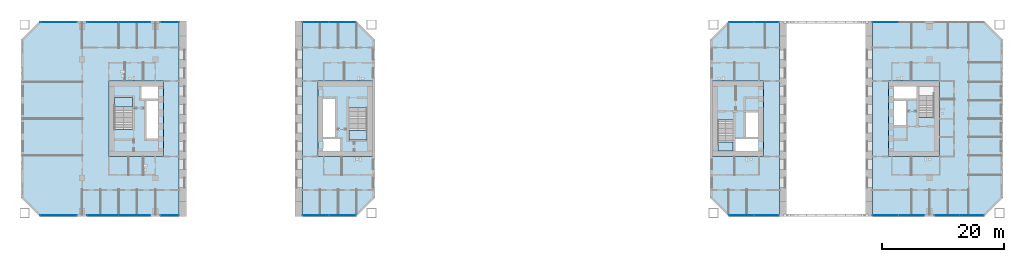
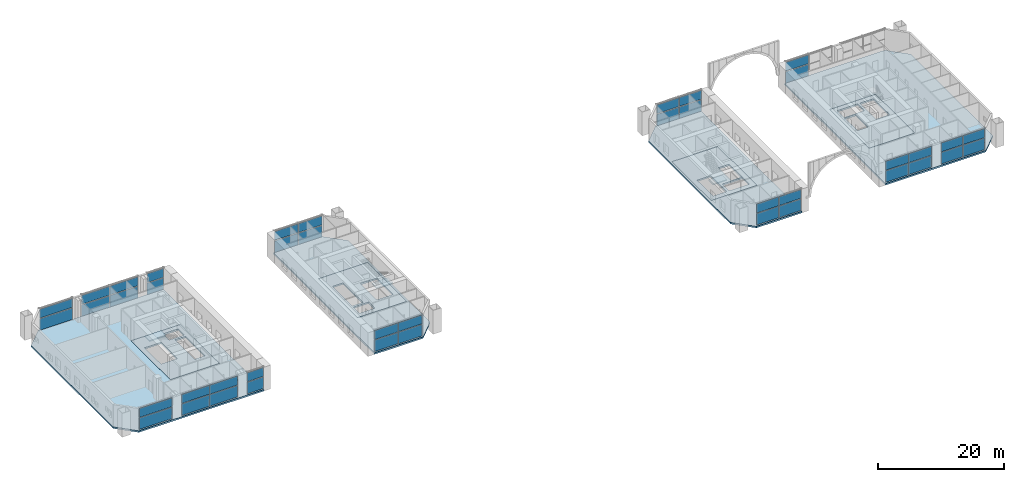
# One storey, part 8 of 21: 42 plates, 11 slabs, 16 elements without a shape of their own.
"""IFC4 building model written with IfcOpenShell, lengths in metres."""

from ifc_helpers import new_model, si_unit, direction, frame, origin, origin_2d, place, context, subcontext, project, spatial, polyline, rectangle, outline, extrude, material, layer, layer_set, type_object, element, aggregate, save


model = new_model("IFC4")

# Units and contexts
model_context = context("Model", 3, precision=1e-05, world=origin(), true_north=direction((0.0, 1.0)))
body_context = subcontext(model_context, "Body", "Model", "MODEL_VIEW")
ifc_project = project(units=[si_unit("LENGTHUNIT", "METRE"), si_unit("AREAUNIT", "SQUARE_METRE"), si_unit("VOLUMEUNIT", "CUBIC_METRE"), si_unit("PLANEANGLEUNIT", "RADIAN"), si_unit("MASSUNIT", "GRAM", prefix="KILO")], contexts=[model_context])

# Site, building, storey
site_placement = place(None, origin())
site = spatial("IfcSite", under=ifc_project, at=site_placement, CompositionType="ELEMENT")
building_placement = place(site_placement, origin())
building = spatial("IfcBuilding", under=site, at=building_placement, Name="Tuart Gate Housing", CompositionType="ELEMENT")
storey_placement = place(building_placement, frame((0.0, 0.0, 5.5)))
storey = spatial("IfcBuildingStorey", under=building, at=storey_placement, Name="L01", CompositionType="ELEMENT", Elevation=5.5)

# Slabs
ifc_material_1 = material(Name="Concrete C40", Category="concrete")
ifc_layer_1 = layer(ifc_material_1, 0.300048828125)
ifc_layer_set_1 = layer_set([ifc_layer_1], Name="Core floor slab 300")
slab_type_1 = type_object("IfcSlabType", Name="Core floor slab 300", PredefinedType="FLOOR", material=ifc_layer_set_1)
slab_1_placement = place(storey_placement, frame((0.0, 0.0, -0.300048828125)))
element("IfcSlab", 1, at=slab_1_placement, inside=storey, type_object=slab_type_1, Name="Core floor AG", PredefinedType="FLOOR", context=body_context, shape_type="SweptSolid", body=[
    extrude(outline(polyline([(66.639892578125, 63.800048828125), (75.639892578125, 63.800048828125), (75.639892578125, 76.199951171875), (66.639892578125, 76.199951171875), (66.639892578125, 63.800048828125)]), holes=[polyline([(67.5400390625, 64.699951171875), (70.31005859375, 64.699951171875), (70.31005859375, 66.64990234375), (67.5400390625, 66.64990234375), (67.5400390625, 64.699951171875)]), polyline([(67.5400390625, 67.050048828125), (69.489990234375, 67.050048828125), (69.489990234375, 73.25), (67.5400390625, 73.25), (67.5400390625, 67.050048828125)]), polyline([(71.739990234375, 66.550048828125), (74.739990234375, 66.550048828125), (74.739990234375, 71.72998046875), (71.739990234375, 71.72998046875), (71.739990234375, 66.550048828125)])]), origin(), (0.0, 0.0, 1.0), 0.300048828125),
])
slab_2_placement = place(storey_placement, frame((0.0, 0.0, -0.300048828125)))
element("IfcSlab", 2, at=slab_2_placement, inside=storey, type_object=slab_type_1, Name="Core floor AK", PredefinedType="FLOOR", context=body_context, shape_type="SweptSolid", body=[
    extrude(outline(polyline([(32.360107421875, 63.800048828125), (41.360107421875, 63.800048828125), (41.360107421875, 76.199951171875), (32.360107421875, 76.199951171875), (32.360107421875, 63.800048828125)]), holes=[polyline([(40.4599609375, 75.300048828125), (37.68994140625, 75.300048828125), (37.68994140625, 73.35009765625), (40.4599609375, 73.35009765625), (40.4599609375, 75.300048828125)]), polyline([(40.4599609375, 72.949951171875), (38.510009765625, 72.949951171875), (38.510009765625, 66.75), (40.4599609375, 66.75), (40.4599609375, 72.949951171875)]), polyline([(36.260009765625, 73.449951171875), (33.260009765625, 73.449951171875), (33.260009765625, 68.27001953125), (36.260009765625, 68.27001953125), (36.260009765625, 73.449951171875)])]), origin(), (0.0, 0.0, 1.0), 0.300048828125),
])
slab_3_placement = place(storey_placement, frame((0.0, 0.0, -0.300048828125)))
element("IfcSlab", 3, at=slab_3_placement, inside=storey, type_object=slab_type_1, Name="Core floor BG", PredefinedType="FLOOR", context=body_context, shape_type="SweptSolid", body=[
    extrude(outline(polyline([(131.360107421875, 63.800048828125), (139.760009765625, 63.800048828125), (139.760009765625, 76.199951171875), (131.360107421875, 76.199951171875), (131.360107421875, 63.800048828125)]), holes=[polyline([(138.860107421875, 66.85009765625), (135.159912109375, 66.85009765625), (135.159912109375, 64.699951171875), (138.860107421875, 64.699951171875), (138.860107421875, 66.85009765625)]), polyline([(138.860107421875, 71.050048828125), (136.909912109375, 71.050048828125), (136.909912109375, 67.050048828125), (138.860107421875, 67.050048828125), (138.860107421875, 71.050048828125)]), polyline([(134.760009765625, 69.780029296875), (132.260009765625, 69.780029296875), (132.260009765625, 64.699951171875), (134.760009765625, 64.699951171875), (134.760009765625, 69.780029296875)])]), origin(), (0.0, 0.0, 1.0), 0.300048828125),
])
slab_4_placement = place(storey_placement, frame((0.0, 0.0, -0.300048828125)))
element("IfcSlab", 4, at=slab_4_placement, inside=storey, type_object=slab_type_1, Name="Core floor BK", PredefinedType="FLOOR", context=body_context, shape_type="SweptSolid", body=[
    extrude(outline(polyline([(160.239990234375, 63.800048828125), (168.639892578125, 63.800048828125), (168.639892578125, 76.199951171875), (160.239990234375, 76.199951171875), (160.239990234375, 63.800048828125)]), holes=[polyline([(161.139892578125, 73.14990234375), (164.840087890625, 73.14990234375), (164.840087890625, 75.300048828125), (161.139892578125, 75.300048828125), (161.139892578125, 73.14990234375)]), polyline([(161.139892578125, 68.949951171875), (163.090087890625, 68.949951171875), (163.090087890625, 72.949951171875), (161.139892578125, 72.949951171875), (161.139892578125, 68.949951171875)]), polyline([(165.239990234375, 70.219970703125), (167.739990234375, 70.219970703125), (167.739990234375, 75.300048828125), (165.239990234375, 75.300048828125), (165.239990234375, 70.219970703125)])]), origin(), (0.0, 0.0, 1.0), 0.300048828125),
])
ifc_material_2 = material(Name="Concrete C40", Category="concrete")
ifc_layer_2 = layer(ifc_material_2, 0.300048828125)
ifc_layer_set_2 = layer_set([ifc_layer_2], Name="Flat plate 300")
slab_type_2 = type_object("IfcSlabType", Name="Flat plate 300", PredefinedType="FLOOR", material=ifc_layer_set_2)
slab_5_placement = place(storey_placement, frame((0.0, 0.0, -0.300048828125)))
element("IfcSlab", 5, at=slab_5_placement, inside=storey, type_object=slab_type_2, Name="Floor slab A part 1 L01", PredefinedType="FLOOR", context=body_context, shape_type="SweptSolid", body=[
    extrude(outline(polyline([(43.89990234375, 86.0), (21.0, 86.0), (18.0, 83.0), (18.0, 57.0), (21.0, 54.0), (43.89990234375, 54.0), (43.89990234375, 86.0)]), holes=[polyline([(32.360107421875, 76.199951171875), (41.360107421875, 76.199951171875), (41.360107421875, 63.800048828125), (32.360107421875, 63.800048828125), (32.360107421875, 76.199951171875)])]), origin(), (0.0, 0.0, 1.0), 0.300048828125),
])
slab_6_placement = place(storey_placement, frame((0.0, 0.0, -0.300048828125)))
element("IfcSlab", 6, at=slab_6_placement, inside=storey, type_object=slab_type_2, Name="Floor slab A part 2 L01", PredefinedType="FLOOR", context=body_context, shape_type="SweptSolid", body=[
    extrude(outline(polyline([(73.0, 86.0), (64.10009765625, 86.0), (64.10009765625, 54.0), (73.0, 54.0), (76.0, 57.0), (76.0, 83.0), (73.0, 86.0)]), holes=[polyline([(66.639892578125, 63.800048828125), (66.639892578125, 76.199951171875), (75.639892578125, 76.199951171875), (75.639892578125, 63.800048828125), (66.639892578125, 63.800048828125)])]), origin(), (0.0, 0.0, 1.0), 0.300048828125),
])
slab_7_placement = place(storey_placement, frame((0.0, 0.0, -0.300048828125)))
element("IfcSlab", 7, at=slab_7_placement, inside=storey, type_object=slab_type_2, Name="Floor slab B part 1 L01", PredefinedType="FLOOR", context=body_context, shape_type="SweptSolid", body=[
    extrude(outline(polyline([(142.35009765625, 86.0), (134.0, 86.0), (131.0, 83.0), (131.0, 57.0), (134.0, 54.0), (142.35009765625, 54.0), (142.35009765625, 86.0)]), holes=[polyline([(131.360107421875, 63.800048828125), (131.360107421875, 76.199951171875), (139.760009765625, 76.199951171875), (139.760009765625, 63.800048828125), (131.360107421875, 63.800048828125)])]), origin(), (0.0, 0.0, 1.0), 0.300048828125),
])
slab_8_placement = place(storey_placement, frame((0.0, 0.0, -0.300048828125)))
element("IfcSlab", 8, at=slab_8_placement, inside=storey, type_object=slab_type_2, Name="Floor slab B part 2 L01", PredefinedType="FLOOR", context=body_context, shape_type="SweptSolid", body=[
    extrude(outline(polyline([(176.0, 86.0), (157.64990234375, 86.0), (157.64990234375, 54.0), (176.0, 54.0), (179.0, 57.0), (179.0, 83.0), (176.0, 86.0)]), holes=[polyline([(160.239990234375, 76.199951171875), (168.639892578125, 76.199951171875), (168.639892578125, 63.800048828125), (160.239990234375, 63.800048828125), (160.239990234375, 76.199951171875)])]), origin(), (0.0, 0.0, 1.0), 0.300048828125),
])

# Curtain wall, plates
ifc_material_3 = material(Name="Aluminium and clear glass", Category="aluminium")
curtain_wall_type = type_object("IfcCurtainWallType", Name="Podium health glazing", PredefinedType="USERDEFINED", material=ifc_material_3)
curtain_wall_1_placement = place(storey_placement, origin())
curtain_wall_1 = element("IfcCurtainWall", 9, at=curtain_wall_1_placement, inside=storey, type_object=curtain_wall_type, Name="Podium health glazing A-S L01", ObjectType="PODIUM HEALTH GLAZING", PredefinedType="USERDEFINED")
ifc_material_4 = material(Name="Clear glass", Category="glass")
ifc_layer_3 = layer(ifc_material_4, 0.028076171875)
ifc_layer_set_3 = layer_set([ifc_layer_3], Name="Glazed panel 28")
plate_type = type_object("IfcPlateType", Name="Glazed panel 28", PredefinedType="CURTAIN_PANEL", material=ifc_layer_set_3)
plate_1_placement = place(storey_placement, frame((24.13720703125, 54.179931640625, 0.1201171875), z_axis=(0.0, 0.0, 1.0), x_axis=(1.0, 0.0, 0.0)))
plate_1 = element("IfcPlate", 10, at=plate_1_placement, type_object=plate_type, Name="CW1 panel 1.1", PredefinedType="CURTAIN_PANEL", context=body_context, shape_type="SweptSolid", body=[
    extrude(rectangle(XDim=6.00537109375, YDim=0.028076171875, at=origin_2d()), origin(), (0.0, 0.0, 1.0), 2.219970703125),
])
plate_2_placement = place(storey_placement, frame((24.13720703125, 54.179931640625, 2.4599609375), z_axis=(0.0, 0.0, 1.0), x_axis=(1.0, 0.0, 0.0)))
plate_2 = element("IfcPlate", 11, at=plate_2_placement, type_object=plate_type, Name="CW1 panel 1.2", PredefinedType="CURTAIN_PANEL", context=body_context, shape_type="SweptSolid", body=[
    extrude(rectangle(XDim=6.00537109375, YDim=0.028076171875, at=origin_2d()), origin(), (0.0, 0.0, 1.0), 1.719970703125),
])
aggregate(curtain_wall_1, [plate_1, plate_2])

curtain_wall_2_placement = place(storey_placement, origin())
curtain_wall_2 = element("IfcCurtainWall", 12, at=curtain_wall_2_placement, inside=storey, type_object=curtain_wall_type, Name="Podium health glazing A-S L01", ObjectType="PODIUM HEALTH GLAZING", PredefinedType="USERDEFINED")
plate_3_placement = place(storey_placement, frame((31.4150390625, 54.179931640625, 0.1201171875), z_axis=(0.0, 0.0, 1.0), x_axis=(1.0, 0.0, 0.0)))
plate_3 = element("IfcPlate", 13, at=plate_3_placement, type_object=plate_type, Name="CW1 panel 1.1", PredefinedType="CURTAIN_PANEL", context=body_context, shape_type="SweptSolid", body=[
    extrude(rectangle(XDim=5.110107421875, YDim=0.028076171875, at=origin_2d()), origin(), (0.0, 0.0, 1.0), 2.219970703125),
])
plate_4_placement = place(storey_placement, frame((31.4150390625, 54.179931640625, 2.4599609375), z_axis=(0.0, 0.0, 1.0), x_axis=(1.0, 0.0, 0.0)))
plate_4 = element("IfcPlate", 14, at=plate_4_placement, type_object=plate_type, Name="CW1 panel 1.2", PredefinedType="CURTAIN_PANEL", context=body_context, shape_type="SweptSolid", body=[
    extrude(rectangle(XDim=5.110107421875, YDim=0.028076171875, at=origin_2d()), origin(), (0.0, 0.0, 1.0), 1.719970703125),
])
plate_5_placement = place(storey_placement, frame((36.5849609375, 54.179931640625, 0.1201171875), z_axis=(0.0, 0.0, 1.0), x_axis=(1.0, 0.0, 0.0)))
plate_5 = element("IfcPlate", 15, at=plate_5_placement, type_object=plate_type, Name="CW1 panel 2.1", PredefinedType="CURTAIN_PANEL", context=body_context, shape_type="SweptSolid", body=[
    extrude(rectangle(XDim=5.110107421875, YDim=0.028076171875, at=origin_2d()), origin(), (0.0, 0.0, 1.0), 2.219970703125),
])
plate_6_placement = place(storey_placement, frame((36.5849609375, 54.179931640625, 2.4599609375), z_axis=(0.0, 0.0, 1.0), x_axis=(1.0, 0.0, 0.0)))
plate_6 = element("IfcPlate", 16, at=plate_6_placement, type_object=plate_type, Name="CW1 panel 2.2", PredefinedType="CURTAIN_PANEL", context=body_context, shape_type="SweptSolid", body=[
    extrude(rectangle(XDim=5.110107421875, YDim=0.028076171875, at=origin_2d()), origin(), (0.0, 0.0, 1.0), 1.719970703125),
])
aggregate(curtain_wall_2, [plate_3, plate_4, plate_5, plate_6])

curtain_wall_3_placement = place(storey_placement, origin())
curtain_wall_3 = element("IfcCurtainWall", 17, at=curtain_wall_3_placement, inside=storey, type_object=curtain_wall_type, Name="Podium health glazing A-S L01", ObjectType="PODIUM HEALTH GLAZING", PredefinedType="USERDEFINED")
plate_7_placement = place(storey_placement, frame((42.35009765625, 54.179931640625, 0.1201171875), z_axis=(0.0, 0.0, 1.0), x_axis=(1.0, 0.0, 0.0)))
plate_7 = element("IfcPlate", 18, at=plate_7_placement, type_object=plate_type, Name="CW1 panel 1.1", PredefinedType="CURTAIN_PANEL", context=body_context, shape_type="SweptSolid", body=[
    extrude(rectangle(XDim=2.97998046875, YDim=0.028076171875, at=origin_2d()), origin(), (0.0, 0.0, 1.0), 2.219970703125),
])
plate_8_placement = place(storey_placement, frame((42.35009765625, 54.179931640625, 2.4599609375), z_axis=(0.0, 0.0, 1.0), x_axis=(1.0, 0.0, 0.0)))
plate_8 = element("IfcPlate", 19, at=plate_8_placement, type_object=plate_type, Name="CW1 panel 1.2", PredefinedType="CURTAIN_PANEL", context=body_context, shape_type="SweptSolid", body=[
    extrude(rectangle(XDim=2.97998046875, YDim=0.028076171875, at=origin_2d()), origin(), (0.0, 0.0, 1.0), 1.719970703125),
])
aggregate(curtain_wall_3, [plate_7, plate_8])

curtain_wall_4_placement = place(storey_placement, origin())
curtain_wall_4 = element("IfcCurtainWall", 20, at=curtain_wall_4_placement, inside=storey, type_object=curtain_wall_type, Name="Podium health glazing A-S L01", ObjectType="PODIUM HEALTH GLAZING", PredefinedType="USERDEFINED")
plate_9_placement = place(storey_placement, frame((66.3212890625, 54.179931640625, 0.1201171875), z_axis=(0.0, 0.0, 1.0), x_axis=(1.0, 0.0, 0.0)))
plate_9 = element("IfcPlate", 21, at=plate_9_placement, type_object=plate_type, Name="CW1 panel 1.1", PredefinedType="CURTAIN_PANEL", context=body_context, shape_type="SweptSolid", body=[
    extrude(rectangle(XDim=4.32275390625, YDim=0.028076171875, at=origin_2d()), origin(), (0.0, 0.0, 1.0), 2.219970703125),
])
plate_10_placement = place(storey_placement, frame((66.3212890625, 54.179931640625, 2.4599609375), z_axis=(0.0, 0.0, 1.0), x_axis=(1.0, 0.0, 0.0)))
plate_10 = element("IfcPlate", 22, at=plate_10_placement, type_object=plate_type, Name="CW1 panel 1.2", PredefinedType="CURTAIN_PANEL", context=body_context, shape_type="SweptSolid", body=[
    extrude(rectangle(XDim=4.32275390625, YDim=0.028076171875, at=origin_2d()), origin(), (0.0, 0.0, 1.0), 1.719970703125),
])
plate_11_placement = place(storey_placement, frame((70.7041015625, 54.179931640625, 0.1201171875), z_axis=(0.0, 0.0, 1.0), x_axis=(1.0, 0.0, 0.0)))
plate_11 = element("IfcPlate", 23, at=plate_11_placement, type_object=plate_type, Name="CW1 panel 2.1", PredefinedType="CURTAIN_PANEL", context=body_context, shape_type="SweptSolid", body=[
    extrude(rectangle(XDim=4.32275390625, YDim=0.028076171875, at=origin_2d()), origin(), (0.0, 0.0, 1.0), 2.219970703125),
])
plate_12_placement = place(storey_placement, frame((70.7041015625, 54.179931640625, 2.4599609375), z_axis=(0.0, 0.0, 1.0), x_axis=(1.0, 0.0, 0.0)))
plate_12 = element("IfcPlate", 24, at=plate_12_placement, type_object=plate_type, Name="CW1 panel 2.2", PredefinedType="CURTAIN_PANEL", context=body_context, shape_type="SweptSolid", body=[
    extrude(rectangle(XDim=4.32275390625, YDim=0.028076171875, at=origin_2d()), origin(), (0.0, 0.0, 1.0), 1.719970703125),
])
aggregate(curtain_wall_4, [plate_9, plate_10, plate_11, plate_12])

curtain_wall_5_placement = place(storey_placement, origin())
curtain_wall_5 = element("IfcCurtainWall", 25, at=curtain_wall_5_placement, inside=storey, type_object=curtain_wall_type, Name="Podium health glazing A-N L01", ObjectType="PODIUM HEALTH GLAZING", PredefinedType="USERDEFINED")
plate_13_placement = place(storey_placement, frame((70.7041015625, 85.820068359375, 0.1201171875), z_axis=(0.0, 0.0, 1.0), x_axis=(-1.0, 0.0, 0.0)))
plate_13 = element("IfcPlate", 26, at=plate_13_placement, type_object=plate_type, Name="CW1 panel 1.1", PredefinedType="CURTAIN_PANEL", context=body_context, shape_type="SweptSolid", body=[
    extrude(rectangle(XDim=4.32275390625, YDim=0.028076171875, at=origin_2d()), origin(), (0.0, 0.0, 1.0), 2.219970703125),
])
plate_14_placement = place(storey_placement, frame((70.7041015625, 85.820068359375, 2.4599609375), z_axis=(0.0, 0.0, 1.0), x_axis=(-1.0, 0.0, 0.0)))
plate_14 = element("IfcPlate", 27, at=plate_14_placement, type_object=plate_type, Name="CW1 panel 1.2", PredefinedType="CURTAIN_PANEL", context=body_context, shape_type="SweptSolid", body=[
    extrude(rectangle(XDim=4.32275390625, YDim=0.028076171875, at=origin_2d()), origin(), (0.0, 0.0, 1.0), 1.719970703125),
])
plate_15_placement = place(storey_placement, frame((66.3212890625, 85.820068359375, 0.1201171875), z_axis=(0.0, 0.0, 1.0), x_axis=(-1.0, 0.0, 0.0)))
plate_15 = element("IfcPlate", 28, at=plate_15_placement, type_object=plate_type, Name="CW1 panel 2.1", PredefinedType="CURTAIN_PANEL", context=body_context, shape_type="SweptSolid", body=[
    extrude(rectangle(XDim=4.32275390625, YDim=0.028076171875, at=origin_2d()), origin(), (0.0, 0.0, 1.0), 2.219970703125),
])
plate_16_placement = place(storey_placement, frame((66.3212890625, 85.820068359375, 2.4599609375), z_axis=(0.0, 0.0, 1.0), x_axis=(-1.0, 0.0, 0.0)))
plate_16 = element("IfcPlate", 29, at=plate_16_placement, type_object=plate_type, Name="CW1 panel 2.2", PredefinedType="CURTAIN_PANEL", context=body_context, shape_type="SweptSolid", body=[
    extrude(rectangle(XDim=4.32275390625, YDim=0.028076171875, at=origin_2d()), origin(), (0.0, 0.0, 1.0), 1.719970703125),
])
aggregate(curtain_wall_5, [plate_13, plate_14, plate_15, plate_16])

curtain_wall_6_placement = place(storey_placement, origin())
curtain_wall_6 = element("IfcCurtainWall", 30, at=curtain_wall_6_placement, inside=storey, type_object=curtain_wall_type, Name="Podium health glazing A-N L01", ObjectType="PODIUM HEALTH GLAZING", PredefinedType="USERDEFINED")
plate_17_placement = place(storey_placement, frame((42.35009765625, 85.820068359375, 0.1201171875), z_axis=(0.0, 0.0, 1.0), x_axis=(-1.0, 0.0, 0.0)))
plate_17 = element("IfcPlate", 31, at=plate_17_placement, type_object=plate_type, Name="CW1 panel 1.1", PredefinedType="CURTAIN_PANEL", context=body_context, shape_type="SweptSolid", body=[
    extrude(rectangle(XDim=2.97998046875, YDim=0.028076171875, at=origin_2d()), origin(), (0.0, 0.0, 1.0), 2.219970703125),
])
plate_18_placement = place(storey_placement, frame((42.35009765625, 85.820068359375, 2.4599609375), z_axis=(0.0, 0.0, 1.0), x_axis=(-1.0, 0.0, 0.0)))
plate_18 = element("IfcPlate", 32, at=plate_18_placement, type_object=plate_type, Name="CW1 panel 1.2", PredefinedType="CURTAIN_PANEL", context=body_context, shape_type="SweptSolid", body=[
    extrude(rectangle(XDim=2.97998046875, YDim=0.028076171875, at=origin_2d()), origin(), (0.0, 0.0, 1.0), 1.719970703125),
])
aggregate(curtain_wall_6, [plate_17, plate_18])

curtain_wall_7_placement = place(storey_placement, origin())
curtain_wall_7 = element("IfcCurtainWall", 33, at=curtain_wall_7_placement, inside=storey, type_object=curtain_wall_type, Name="Podium health glazing A-N L01", ObjectType="PODIUM HEALTH GLAZING", PredefinedType="USERDEFINED")
plate_19_placement = place(storey_placement, frame((36.5849609375, 85.820068359375, 0.1201171875), z_axis=(0.0, 0.0, 1.0), x_axis=(-1.0, 0.0, 0.0)))
plate_19 = element("IfcPlate", 34, at=plate_19_placement, type_object=plate_type, Name="CW1 panel 1.1", PredefinedType="CURTAIN_PANEL", context=body_context, shape_type="SweptSolid", body=[
    extrude(rectangle(XDim=5.110107421875, YDim=0.028076171875, at=origin_2d()), origin(), (0.0, 0.0, 1.0), 2.219970703125),
])
plate_20_placement = place(storey_placement, frame((36.5849609375, 85.820068359375, 2.4599609375), z_axis=(0.0, 0.0, 1.0), x_axis=(-1.0, 0.0, 0.0)))
plate_20 = element("IfcPlate", 35, at=plate_20_placement, type_object=plate_type, Name="CW1 panel 1.2", PredefinedType="CURTAIN_PANEL", context=body_context, shape_type="SweptSolid", body=[
    extrude(rectangle(XDim=5.110107421875, YDim=0.028076171875, at=origin_2d()), origin(), (0.0, 0.0, 1.0), 1.719970703125),
])
plate_21_placement = place(storey_placement, frame((31.4150390625, 85.820068359375, 0.1201171875), z_axis=(0.0, 0.0, 1.0), x_axis=(-1.0, 0.0, 0.0)))
plate_21 = element("IfcPlate", 36, at=plate_21_placement, type_object=plate_type, Name="CW1 panel 2.1", PredefinedType="CURTAIN_PANEL", context=body_context, shape_type="SweptSolid", body=[
    extrude(rectangle(XDim=5.110107421875, YDim=0.028076171875, at=origin_2d()), origin(), (0.0, 0.0, 1.0), 2.219970703125),
])
plate_22_placement = place(storey_placement, frame((31.4150390625, 85.820068359375, 2.4599609375), z_axis=(0.0, 0.0, 1.0), x_axis=(-1.0, 0.0, 0.0)))
plate_22 = element("IfcPlate", 37, at=plate_22_placement, type_object=plate_type, Name="CW1 panel 2.2", PredefinedType="CURTAIN_PANEL", context=body_context, shape_type="SweptSolid", body=[
    extrude(rectangle(XDim=5.110107421875, YDim=0.028076171875, at=origin_2d()), origin(), (0.0, 0.0, 1.0), 1.719970703125),
])
aggregate(curtain_wall_7, [plate_19, plate_20, plate_21, plate_22])

curtain_wall_8_placement = place(storey_placement, origin())
curtain_wall_8 = element("IfcCurtainWall", 38, at=curtain_wall_8_placement, inside=storey, type_object=curtain_wall_type, Name="Podium health glazing A-N L01", ObjectType="PODIUM HEALTH GLAZING", PredefinedType="USERDEFINED")
plate_23_placement = place(storey_placement, frame((24.13720703125, 85.820068359375, 0.1201171875), z_axis=(0.0, 0.0, 1.0), x_axis=(-1.0, 0.0, 0.0)))
plate_23 = element("IfcPlate", 39, at=plate_23_placement, type_object=plate_type, Name="CW1 panel 1.1", PredefinedType="CURTAIN_PANEL", context=body_context, shape_type="SweptSolid", body=[
    extrude(rectangle(XDim=6.005615234375, YDim=0.028076171875, at=origin_2d()), origin(), (0.0, 0.0, 1.0), 2.219970703125),
])
plate_24_placement = place(storey_placement, frame((24.13720703125, 85.820068359375, 2.4599609375), z_axis=(0.0, 0.0, 1.0), x_axis=(-1.0, 0.0, 0.0)))
plate_24 = element("IfcPlate", 40, at=plate_24_placement, type_object=plate_type, Name="CW1 panel 1.2", PredefinedType="CURTAIN_PANEL", context=body_context, shape_type="SweptSolid", body=[
    extrude(rectangle(XDim=6.005615234375, YDim=0.028076171875, at=origin_2d()), origin(), (0.0, 0.0, 1.0), 1.719970703125),
])
aggregate(curtain_wall_8, [plate_23, plate_24])

curtain_wall_9_placement = place(storey_placement, origin())
curtain_wall_9 = element("IfcCurtainWall", 41, at=curtain_wall_9_placement, inside=storey, type_object=curtain_wall_type, Name="Podium health glazing B-S L01", ObjectType="PODIUM HEALTH GLAZING", PredefinedType="USERDEFINED")
plate_25_placement = place(storey_placement, frame((136.158447265625, 54.179931640625, 0.1201171875), z_axis=(0.0, 0.0, 1.0), x_axis=(1.0, 0.0, 0.0)))
plate_25 = element("IfcPlate", 42, at=plate_25_placement, type_object=plate_type, Name="CW1 panel 1.1", PredefinedType="CURTAIN_PANEL", context=body_context, shape_type="SweptSolid", body=[
    extrude(rectangle(XDim=4.047607421875, YDim=0.028076171875, at=origin_2d()), origin(), (0.0, 0.0, 1.0), 2.219970703125),
])
plate_26_placement = place(storey_placement, frame((136.158447265625, 54.179931640625, 2.4599609375), z_axis=(0.0, 0.0, 1.0), x_axis=(1.0, 0.0, 0.0)))
plate_26 = element("IfcPlate", 43, at=plate_26_placement, type_object=plate_type, Name="CW1 panel 1.2", PredefinedType="CURTAIN_PANEL", context=body_context, shape_type="SweptSolid", body=[
    extrude(rectangle(XDim=4.047607421875, YDim=0.028076171875, at=origin_2d()), origin(), (0.0, 0.0, 1.0), 1.719970703125),
])
plate_27_placement = place(storey_placement, frame((140.26611328125, 54.179931640625, 0.1201171875), z_axis=(0.0, 0.0, 1.0), x_axis=(1.0, 0.0, 0.0)))
plate_27 = element("IfcPlate", 44, at=plate_27_placement, type_object=plate_type, Name="CW1 panel 2.1", PredefinedType="CURTAIN_PANEL", context=body_context, shape_type="SweptSolid", body=[
    extrude(rectangle(XDim=4.047607421875, YDim=0.028076171875, at=origin_2d()), origin(), (0.0, 0.0, 1.0), 2.219970703125),
])
plate_28_placement = place(storey_placement, frame((140.26611328125, 54.179931640625, 2.4599609375), z_axis=(0.0, 0.0, 1.0), x_axis=(1.0, 0.0, 0.0)))
plate_28 = element("IfcPlate", 45, at=plate_28_placement, type_object=plate_type, Name="CW1 panel 2.2", PredefinedType="CURTAIN_PANEL", context=body_context, shape_type="SweptSolid", body=[
    extrude(rectangle(XDim=4.047607421875, YDim=0.028076171875, at=origin_2d()), origin(), (0.0, 0.0, 1.0), 1.719970703125),
])
aggregate(curtain_wall_9, [plate_25, plate_26, plate_27, plate_28])

curtain_wall_10_placement = place(storey_placement, origin())
curtain_wall_10 = element("IfcCurtainWall", 46, at=curtain_wall_10_placement, inside=storey, type_object=curtain_wall_type, Name="Podium health glazing B-S L01", ObjectType="PODIUM HEALTH GLAZING", PredefinedType="USERDEFINED")
plate_29_placement = place(storey_placement, frame((159.802490234375, 54.179931640625, 0.1201171875), z_axis=(0.0, 0.0, 1.0), x_axis=(1.0, 0.0, 0.0)))
plate_29 = element("IfcPlate", 47, at=plate_29_placement, type_object=plate_type, Name="CW1 panel 1.1", PredefinedType="CURTAIN_PANEL", context=body_context, shape_type="SweptSolid", body=[
    extrude(rectangle(XDim=4.18505859375, YDim=0.028076171875, at=origin_2d()), origin(), (0.0, 0.0, 1.0), 2.219970703125),
])
plate_30_placement = place(storey_placement, frame((159.802490234375, 54.179931640625, 2.4599609375), z_axis=(0.0, 0.0, 1.0), x_axis=(1.0, 0.0, 0.0)))
plate_30 = element("IfcPlate", 48, at=plate_30_placement, type_object=plate_type, Name="CW1 panel 1.2", PredefinedType="CURTAIN_PANEL", context=body_context, shape_type="SweptSolid", body=[
    extrude(rectangle(XDim=4.18505859375, YDim=0.028076171875, at=origin_2d()), origin(), (0.0, 0.0, 1.0), 1.719970703125),
])
plate_31_placement = place(storey_placement, frame((164.047607421875, 54.179931640625, 0.1201171875), z_axis=(0.0, 0.0, 1.0), x_axis=(1.0, 0.0, 0.0)))
plate_31 = element("IfcPlate", 49, at=plate_31_placement, type_object=plate_type, Name="CW1 panel 2.1", PredefinedType="CURTAIN_PANEL", context=body_context, shape_type="SweptSolid", body=[
    extrude(rectangle(XDim=4.18505859375, YDim=0.028076171875, at=origin_2d()), origin(), (0.0, 0.0, 1.0), 2.219970703125),
])
plate_32_placement = place(storey_placement, frame((164.047607421875, 54.179931640625, 2.4599609375), z_axis=(0.0, 0.0, 1.0), x_axis=(1.0, 0.0, 0.0)))
plate_32 = element("IfcPlate", 50, at=plate_32_placement, type_object=plate_type, Name="CW1 panel 2.2", PredefinedType="CURTAIN_PANEL", context=body_context, shape_type="SweptSolid", body=[
    extrude(rectangle(XDim=4.18505859375, YDim=0.028076171875, at=origin_2d()), origin(), (0.0, 0.0, 1.0), 1.719970703125),
])
aggregate(curtain_wall_10, [plate_29, plate_30, plate_31, plate_32])

curtain_wall_11_placement = place(storey_placement, origin())
curtain_wall_11 = element("IfcCurtainWall", 51, at=curtain_wall_11_placement, inside=storey, type_object=curtain_wall_type, Name="Podium health glazing B-S L01", ObjectType="PODIUM HEALTH GLAZING", PredefinedType="USERDEFINED")
plate_33_placement = place(storey_placement, frame((169.846435546875, 54.179931640625, 0.1201171875), z_axis=(0.0, 0.0, 1.0), x_axis=(1.0, 0.0, 0.0)))
plate_33 = element("IfcPlate", 52, at=plate_33_placement, type_object=plate_type, Name="CW1 panel 1.1", PredefinedType="CURTAIN_PANEL", context=body_context, shape_type="SweptSolid", body=[
    extrude(rectangle(XDim=3.97265625, YDim=0.028076171875, at=origin_2d()), origin(), (0.0, 0.0, 1.0), 2.219970703125),
])
plate_34_placement = place(storey_placement, frame((169.846435546875, 54.179931640625, 2.4599609375), z_axis=(0.0, 0.0, 1.0), x_axis=(1.0, 0.0, 0.0)))
plate_34 = element("IfcPlate", 53, at=plate_34_placement, type_object=plate_type, Name="CW1 panel 1.2", PredefinedType="CURTAIN_PANEL", context=body_context, shape_type="SweptSolid", body=[
    extrude(rectangle(XDim=3.97265625, YDim=0.028076171875, at=origin_2d()), origin(), (0.0, 0.0, 1.0), 1.719970703125),
])
plate_35_placement = place(storey_placement, frame((173.879150390625, 54.179931640625, 0.1201171875), z_axis=(0.0, 0.0, 1.0), x_axis=(1.0, 0.0, 0.0)))
plate_35 = element("IfcPlate", 54, at=plate_35_placement, type_object=plate_type, Name="CW1 panel 2.1", PredefinedType="CURTAIN_PANEL", context=body_context, shape_type="SweptSolid", body=[
    extrude(rectangle(XDim=3.97265625, YDim=0.028076171875, at=origin_2d()), origin(), (0.0, 0.0, 1.0), 2.219970703125),
])
plate_36_placement = place(storey_placement, frame((173.879150390625, 54.179931640625, 2.4599609375), z_axis=(0.0, 0.0, 1.0), x_axis=(1.0, 0.0, 0.0)))
plate_36 = element("IfcPlate", 55, at=plate_36_placement, type_object=plate_type, Name="CW1 panel 2.2", PredefinedType="CURTAIN_PANEL", context=body_context, shape_type="SweptSolid", body=[
    extrude(rectangle(XDim=3.97265625, YDim=0.028076171875, at=origin_2d()), origin(), (0.0, 0.0, 1.0), 1.719970703125),
])
aggregate(curtain_wall_11, [plate_33, plate_34, plate_35, plate_36])

curtain_wall_12_placement = place(storey_placement, origin())
curtain_wall_12 = element("IfcCurtainWall", 56, at=curtain_wall_12_placement, inside=storey, type_object=curtain_wall_type, Name="Podium health glazing B-N L01", ObjectType="PODIUM HEALTH GLAZING", PredefinedType="USERDEFINED")
plate_37_placement = place(storey_placement, frame((159.802490234375, 85.820068359375, 0.1201171875), z_axis=(0.0, 0.0, 1.0), x_axis=(-1.0, 0.0, 0.0)))
plate_37 = element("IfcPlate", 57, at=plate_37_placement, type_object=plate_type, Name="CW1 panel 2.1", PredefinedType="CURTAIN_PANEL", context=body_context, shape_type="SweptSolid", body=[
    extrude(rectangle(XDim=4.18505859375, YDim=0.028076171875, at=origin_2d()), origin(), (0.0, 0.0, 1.0), 2.219970703125),
])
plate_38_placement = place(storey_placement, frame((159.802490234375, 85.820068359375, 2.4599609375), z_axis=(0.0, 0.0, 1.0), x_axis=(-1.0, 0.0, 0.0)))
plate_38 = element("IfcPlate", 58, at=plate_38_placement, type_object=plate_type, Name="CW1 panel 2.2", PredefinedType="CURTAIN_PANEL", context=body_context, shape_type="SweptSolid", body=[
    extrude(rectangle(XDim=4.18505859375, YDim=0.028076171875, at=origin_2d()), origin(), (0.0, 0.0, 1.0), 1.719970703125),
])
aggregate(curtain_wall_12, [plate_37, plate_38])

curtain_wall_13_placement = place(storey_placement, origin())
curtain_wall_13 = element("IfcCurtainWall", 59, at=curtain_wall_13_placement, inside=storey, type_object=curtain_wall_type, Name="Podium health glazing B-N L01", ObjectType="PODIUM HEALTH GLAZING", PredefinedType="USERDEFINED")
plate_39_placement = place(storey_placement, frame((140.26611328125, 85.820068359375, 0.1201171875), z_axis=(0.0, 0.0, 1.0), x_axis=(-1.0, 0.0, 0.0)))
plate_39 = element("IfcPlate", 60, at=plate_39_placement, type_object=plate_type, Name="CW1 panel 1.1", PredefinedType="CURTAIN_PANEL", context=body_context, shape_type="SweptSolid", body=[
    extrude(rectangle(XDim=4.0478515625, YDim=0.028076171875, at=origin_2d()), origin(), (0.0, 0.0, 1.0), 2.219970703125),
])
plate_40_placement = place(storey_placement, frame((140.26611328125, 85.820068359375, 2.4599609375), z_axis=(0.0, 0.0, 1.0), x_axis=(-1.0, 0.0, 0.0)))
plate_40 = element("IfcPlate", 61, at=plate_40_placement, type_object=plate_type, Name="CW1 panel 1.2", PredefinedType="CURTAIN_PANEL", context=body_context, shape_type="SweptSolid", body=[
    extrude(rectangle(XDim=4.0478515625, YDim=0.028076171875, at=origin_2d()), origin(), (0.0, 0.0, 1.0), 1.719970703125),
])
plate_41_placement = place(storey_placement, frame((136.158447265625, 85.820068359375, 0.1201171875), z_axis=(0.0, 0.0, 1.0), x_axis=(-1.0, 0.0, 0.0)))
plate_41 = element("IfcPlate", 62, at=plate_41_placement, type_object=plate_type, Name="CW1 panel 2.1", PredefinedType="CURTAIN_PANEL", context=body_context, shape_type="SweptSolid", body=[
    extrude(rectangle(XDim=4.0478515625, YDim=0.028076171875, at=origin_2d()), origin(), (0.0, 0.0, 1.0), 2.219970703125),
])
plate_42_placement = place(storey_placement, frame((136.158447265625, 85.820068359375, 2.4599609375), z_axis=(0.0, 0.0, 1.0), x_axis=(-1.0, 0.0, 0.0)))
plate_42 = element("IfcPlate", 63, at=plate_42_placement, type_object=plate_type, Name="CW1 panel 2.2", PredefinedType="CURTAIN_PANEL", context=body_context, shape_type="SweptSolid", body=[
    extrude(rectangle(XDim=4.0478515625, YDim=0.028076171875, at=origin_2d()), origin(), (0.0, 0.0, 1.0), 1.719970703125),
])
aggregate(curtain_wall_13, [plate_39, plate_40, plate_41, plate_42])

# Stair, slab
ifc_material_5 = material(Name="Concrete C40", Category="concrete")
stair_type_1 = type_object("IfcStairType", Name="Core stair 1500", PredefinedType="HALF_TURN_STAIR", material=ifc_material_5)
stair_1_placement = place(storey_placement, origin())
stair_1 = element("IfcStair", 64, at=stair_1_placement, inside=storey, type_object=stair_type_1, Name="Stair SA1", PredefinedType="HALF_TURN_STAIR")
ifc_material_6 = material(Name="Concrete C40", Category="concrete")
ifc_layer_4 = layer(ifc_material_6, 0.199951171875)
ifc_layer_set_4 = layer_set([ifc_layer_4], Name="Stair landing 200")
slab_type_3 = type_object("IfcSlabType", Name="Stair landing 200", PredefinedType="LANDING", material=ifc_layer_set_4)
slab_9_placement = place(storey_placement, frame((0.0, 0.0, 2.10009765625)))
slab_9 = element("IfcSlab", 65, at=slab_9_placement, type_object=slab_type_3, Name="SA1 landing 1", PredefinedType="LANDING", context=body_context, shape_type="SweptSolid", body=[
    extrude(outline(polyline([(71.739990234375, 66.550048828125), (74.739990234375, 66.550048828125), (74.739990234375, 68.110107421875), (71.739990234375, 68.110107421875), (71.739990234375, 66.550048828125)])), origin(), (0.0, 0.0, 1.0), 0.199951171875),
])
aggregate(stair_1, [slab_9])

stair_2_placement = place(storey_placement, origin())
stair_2 = element("IfcStair", 66, at=stair_2_placement, inside=storey, type_object=stair_type_1, Name="Stair SA2", PredefinedType="HALF_TURN_STAIR")
slab_10_placement = place(storey_placement, frame((0.0, 0.0, 2.10009765625)))
slab_10 = element("IfcSlab", 67, at=slab_10_placement, type_object=slab_type_3, Name="SA2 landing 1", PredefinedType="LANDING", context=body_context, shape_type="SweptSolid", body=[
    extrude(outline(polyline([(36.260009765625, 73.449951171875), (33.260009765625, 73.449951171875), (33.260009765625, 71.889892578125), (36.260009765625, 71.889892578125), (36.260009765625, 73.449951171875)])), origin(), (0.0, 0.0, 1.0), 0.199951171875),
])
aggregate(stair_2, [slab_10])

ifc_material_7 = material(Name="Concrete C40", Category="concrete")
stair_type_2 = type_object("IfcStairType", Name="Core stair 1250", PredefinedType="HALF_TURN_STAIR", material=ifc_material_7)
stair_3_placement = place(storey_placement, origin())
stair_3 = element("IfcStair", 68, at=stair_3_placement, inside=storey, type_object=stair_type_2, Name="Stair SB1", PredefinedType="HALF_TURN_STAIR")
slab_11_placement = place(storey_placement, frame((0.0, 0.0, 2.10009765625)))
slab_11 = element("IfcSlab", 69, at=slab_11_placement, type_object=slab_type_3, Name="SB1 landing 1", PredefinedType="LANDING", context=body_context, shape_type="SweptSolid", body=[
    extrude(outline(polyline([(134.760009765625, 66.159912109375), (132.260009765625, 66.159912109375), (132.260009765625, 64.699951171875), (134.760009765625, 64.699951171875), (134.760009765625, 66.159912109375)])), origin(), (0.0, 0.0, 1.0), 0.199951171875),
])
aggregate(stair_3, [slab_11])

save(model, "model.ifc")
